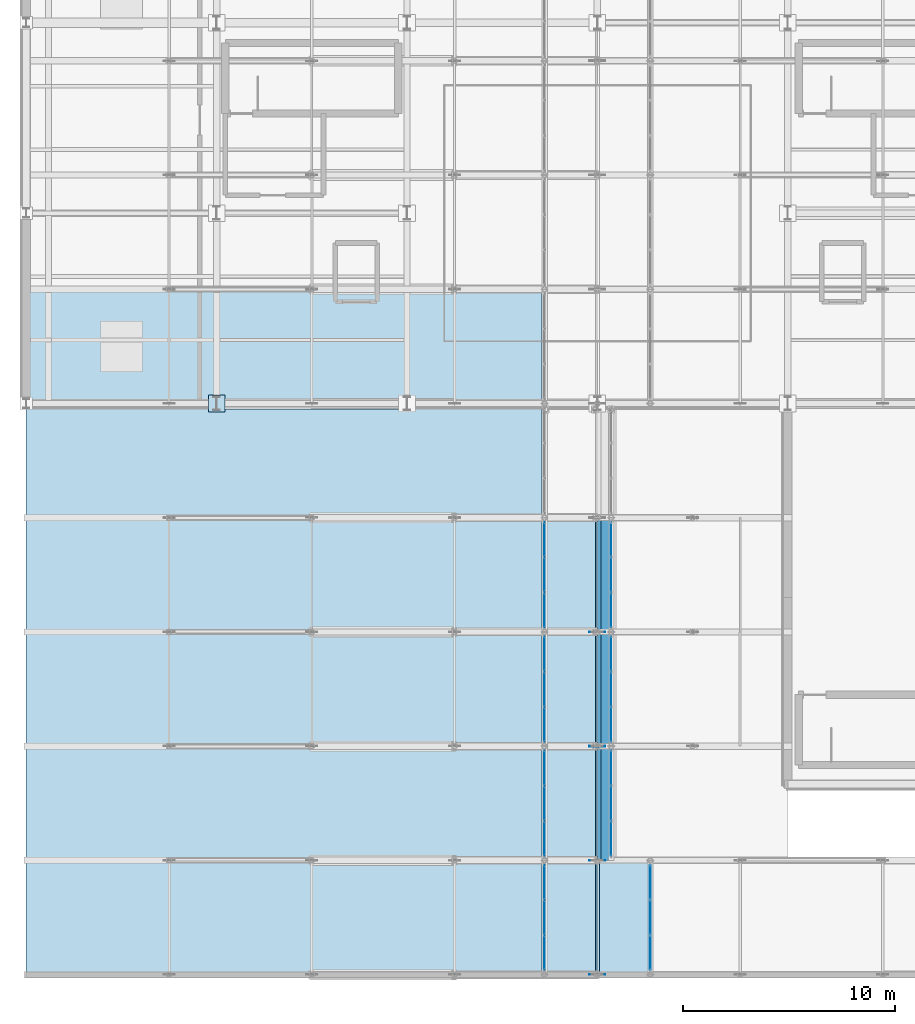
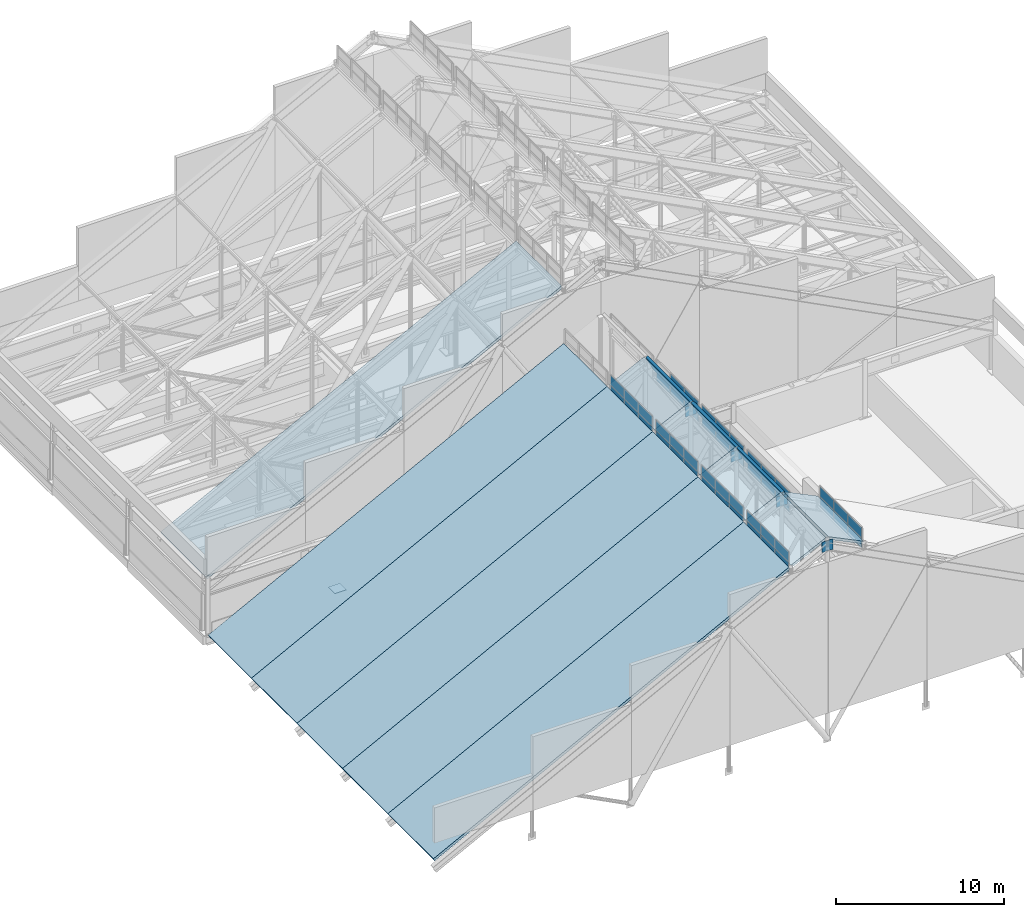
# One storey, part 68 of 84: 52 plates, 14 slabs, 8 elements without a shape of their own.
"""IFC4 building model written with IfcOpenShell, lengths in metres."""

from ifc_helpers import new_model, si_unit, direction, frame, origin, origin_2d, place, context, subcontext, project, spatial, polyline, rectangle, outline, extrude, material, layer, layer_set, type_object, element, aggregate, save


model = new_model("IFC4")

# Units and contexts
model_context = context("Model", 3, precision=1e-05, world=origin(), true_north=direction((0.0, 1.0)))
body_context = subcontext(model_context, "Body", "Model", "MODEL_VIEW")
ifc_project = project(units=[si_unit("LENGTHUNIT", "METRE"), si_unit("AREAUNIT", "SQUARE_METRE"), si_unit("VOLUMEUNIT", "CUBIC_METRE"), si_unit("PLANEANGLEUNIT", "RADIAN"), si_unit("MASSUNIT", "GRAM", prefix="KILO")], contexts=[model_context])

# Site, building, storey
site_placement = place(None, origin())
site = spatial("IfcSite", under=ifc_project, at=site_placement, CompositionType="ELEMENT")
building_placement = place(site_placement, origin())
building = spatial("IfcBuilding", under=site, at=building_placement, Name="Sundgate Opera House", CompositionType="ELEMENT")
storey_placement = place(building_placement, frame((0.0, 0.0, 30.60009765625)))
storey = spatial("IfcBuildingStorey", under=building, at=storey_placement, Name="L06", CompositionType="ELEMENT", Elevation=30.60009765625)

# Curtain wall, plates
ifc_material_1 = material(Name="Anodized aluminium and low-iron glass", Category="aluminium")
ifc_layer_1 = layer(ifc_material_1, 0.169921875)
ifc_layer_set_1 = layer_set([ifc_layer_1], Name="Anodized aluminium and low-iron glass")
curtain_wall_type = type_object("IfcCurtainWallType", Name="CW-LANTERN-POLY", PredefinedType="NOTDEFINED", material=ifc_layer_set_1)
curtain_wall_1_placement = place(storey_placement, origin())
curtain_wall_1 = element("IfcCurtainWall", 1, at=curtain_wall_1_placement, inside=storey, type_object=curtain_wall_type, Name="L06 Curtain Wall CW169", PredefinedType="NOTDEFINED")
ifc_material_2 = material(Name="Polychrome stained-glass skylight glazing", Category="glass")
ifc_layer_2 = layer(ifc_material_2, 0.028076171875)
ifc_layer_set_2 = layer_set([ifc_layer_2], Name="Polychrome stained-glass skylight glazing")
plate_type_1 = type_object("IfcPlateType", Name="CWP-POLY-28", PredefinedType="CURTAIN_PANEL", material=ifc_layer_set_2)
plate_1_placement = place(storey_placement, frame((51.5, 37.36669921875, 12.02001953125), z_axis=(0.0, 0.0, 1.0), x_axis=(0.0, -1.0, 0.0)))
plate_1 = element("IfcPlate", 2, at=plate_1_placement, type_object=plate_type_1, Name="CW169 Panel 1", PredefinedType="CURTAIN_PANEL", context=body_context, shape_type="SweptSolid", body=[
    extrude(rectangle(XDim=1.626708984375, YDim=0.028076171875, at=origin_2d()), origin(), (0.0, 0.0, 1.0), 0.7099609375),
])
plate_2_placement = place(storey_placement, frame((51.5, 37.36669921875, 12.77001953125), z_axis=(0.0, 0.0, 1.0), x_axis=(0.0, -1.0, 0.0)))
plate_2 = element("IfcPlate", 3, at=plate_2_placement, type_object=plate_type_1, Name="CW169 Panel 2", PredefinedType="CURTAIN_PANEL", context=body_context, shape_type="SweptSolid", body=[
    extrude(rectangle(XDim=1.626708984375, YDim=0.028076171875, at=origin_2d()), origin(), (0.0, 0.0, 1.0), 0.7099609375),
])
plate_3_placement = place(storey_placement, frame((51.5, 35.699951171875, 12.02001953125), z_axis=(0.0, 0.0, 1.0), x_axis=(0.0, -1.0, 0.0)))
plate_3 = element("IfcPlate", 4, at=plate_3_placement, type_object=plate_type_1, Name="CW169 Panel 3", PredefinedType="CURTAIN_PANEL", context=body_context, shape_type="SweptSolid", body=[
    extrude(rectangle(XDim=1.626708984375, YDim=0.028076171875, at=origin_2d()), origin(), (0.0, 0.0, 1.0), 0.7099609375),
])
plate_4_placement = place(storey_placement, frame((51.5, 35.699951171875, 12.77001953125), z_axis=(0.0, 0.0, 1.0), x_axis=(0.0, -1.0, 0.0)))
plate_4 = element("IfcPlate", 5, at=plate_4_placement, type_object=plate_type_1, Name="CW169 Panel 4", PredefinedType="CURTAIN_PANEL", context=body_context, shape_type="SweptSolid", body=[
    extrude(rectangle(XDim=1.626708984375, YDim=0.028076171875, at=origin_2d()), origin(), (0.0, 0.0, 1.0), 0.7099609375),
])
plate_5_placement = place(storey_placement, frame((51.5, 34.033447265625, 12.02001953125), z_axis=(0.0, 0.0, 1.0), x_axis=(0.0, -1.0, 0.0)))
plate_5 = element("IfcPlate", 6, at=plate_5_placement, type_object=plate_type_1, Name="CW169 Panel 5", PredefinedType="CURTAIN_PANEL", context=body_context, shape_type="SweptSolid", body=[
    extrude(rectangle(XDim=1.626708984375, YDim=0.028076171875, at=origin_2d()), origin(), (0.0, 0.0, 1.0), 0.7099609375),
])
plate_6_placement = place(storey_placement, frame((51.5, 34.033447265625, 12.77001953125), z_axis=(0.0, 0.0, 1.0), x_axis=(0.0, -1.0, 0.0)))
plate_6 = element("IfcPlate", 7, at=plate_6_placement, type_object=plate_type_1, Name="CW169 Panel 6", PredefinedType="CURTAIN_PANEL", context=body_context, shape_type="SweptSolid", body=[
    extrude(rectangle(XDim=1.626708984375, YDim=0.028076171875, at=origin_2d()), origin(), (0.0, 0.0, 1.0), 0.7099609375),
])
aggregate(curtain_wall_1, [plate_1, plate_2, plate_3, plate_4, plate_5, plate_6])

curtain_wall_2_placement = place(storey_placement, origin())
curtain_wall_2 = element("IfcCurtainWall", 8, at=curtain_wall_2_placement, inside=storey, type_object=curtain_wall_type, Name="L06 Curtain Wall CW170", PredefinedType="NOTDEFINED")
plate_7_placement = place(storey_placement, frame((56.5, 34.033447265625, 12.02001953125), z_axis=(0.0, 0.0, 1.0), x_axis=(0.0, 1.0, 0.0)))
plate_7 = element("IfcPlate", 9, at=plate_7_placement, type_object=plate_type_1, Name="CW170 Panel 1", PredefinedType="CURTAIN_PANEL", context=body_context, shape_type="SweptSolid", body=[
    extrude(rectangle(XDim=1.626708984375, YDim=0.028076171875, at=origin_2d()), origin(), (0.0, 0.0, 1.0), 0.7099609375),
])
plate_8_placement = place(storey_placement, frame((56.5, 34.033447265625, 12.77001953125), z_axis=(0.0, 0.0, 1.0), x_axis=(0.0, 1.0, 0.0)))
plate_8 = element("IfcPlate", 10, at=plate_8_placement, type_object=plate_type_1, Name="CW170 Panel 2", PredefinedType="CURTAIN_PANEL", context=body_context, shape_type="SweptSolid", body=[
    extrude(rectangle(XDim=1.626708984375, YDim=0.028076171875, at=origin_2d()), origin(), (0.0, 0.0, 1.0), 0.7099609375),
])
plate_9_placement = place(storey_placement, frame((56.5, 35.699951171875, 12.02001953125), z_axis=(0.0, 0.0, 1.0), x_axis=(0.0, 1.0, 0.0)))
plate_9 = element("IfcPlate", 11, at=plate_9_placement, type_object=plate_type_1, Name="CW170 Panel 3", PredefinedType="CURTAIN_PANEL", context=body_context, shape_type="SweptSolid", body=[
    extrude(rectangle(XDim=1.626708984375, YDim=0.028076171875, at=origin_2d()), origin(), (0.0, 0.0, 1.0), 0.7099609375),
])
plate_10_placement = place(storey_placement, frame((56.5, 35.699951171875, 12.77001953125), z_axis=(0.0, 0.0, 1.0), x_axis=(0.0, 1.0, 0.0)))
plate_10 = element("IfcPlate", 12, at=plate_10_placement, type_object=plate_type_1, Name="CW170 Panel 4", PredefinedType="CURTAIN_PANEL", context=body_context, shape_type="SweptSolid", body=[
    extrude(rectangle(XDim=1.626708984375, YDim=0.028076171875, at=origin_2d()), origin(), (0.0, 0.0, 1.0), 0.7099609375),
])
plate_11_placement = place(storey_placement, frame((56.5, 37.36669921875, 12.02001953125), z_axis=(0.0, 0.0, 1.0), x_axis=(0.0, 1.0, 0.0)))
plate_11 = element("IfcPlate", 13, at=plate_11_placement, type_object=plate_type_1, Name="CW170 Panel 5", PredefinedType="CURTAIN_PANEL", context=body_context, shape_type="SweptSolid", body=[
    extrude(rectangle(XDim=1.626708984375, YDim=0.028076171875, at=origin_2d()), origin(), (0.0, 0.0, 1.0), 0.7099609375),
])
plate_12_placement = place(storey_placement, frame((56.5, 37.36669921875, 12.77001953125), z_axis=(0.0, 0.0, 1.0), x_axis=(0.0, 1.0, 0.0)))
plate_12 = element("IfcPlate", 14, at=plate_12_placement, type_object=plate_type_1, Name="CW170 Panel 6", PredefinedType="CURTAIN_PANEL", context=body_context, shape_type="SweptSolid", body=[
    extrude(rectangle(XDim=1.626708984375, YDim=0.028076171875, at=origin_2d()), origin(), (0.0, 0.0, 1.0), 0.7099609375),
])
aggregate(curtain_wall_2, [plate_7, plate_8, plate_9, plate_10, plate_11, plate_12])

curtain_wall_3_placement = place(storey_placement, origin())
curtain_wall_3 = element("IfcCurtainWall", 15, at=curtain_wall_3_placement, inside=storey, type_object=curtain_wall_type, Name="L06 Curtain Wall CW171", PredefinedType="NOTDEFINED")
plate_13_placement = place(storey_placement, frame((51.5, 42.7666015625, 12.02001953125), z_axis=(0.0, 0.0, 1.0), x_axis=(0.0, -1.0, 0.0)))
plate_13 = element("IfcPlate", 16, at=plate_13_placement, type_object=plate_type_1, Name="CW171 Panel 1", PredefinedType="CURTAIN_PANEL", context=body_context, shape_type="SweptSolid", body=[
    extrude(rectangle(XDim=1.626708984375, YDim=0.028076171875, at=origin_2d()), origin(), (0.0, 0.0, 1.0), 0.7099609375),
])
plate_14_placement = place(storey_placement, frame((51.5, 42.7666015625, 12.77001953125), z_axis=(0.0, 0.0, 1.0), x_axis=(0.0, -1.0, 0.0)))
plate_14 = element("IfcPlate", 17, at=plate_14_placement, type_object=plate_type_1, Name="CW171 Panel 2", PredefinedType="CURTAIN_PANEL", context=body_context, shape_type="SweptSolid", body=[
    extrude(rectangle(XDim=1.626708984375, YDim=0.028076171875, at=origin_2d()), origin(), (0.0, 0.0, 1.0), 0.7099609375),
])
plate_15_placement = place(storey_placement, frame((51.5, 41.10009765625, 12.02001953125), z_axis=(0.0, 0.0, 1.0), x_axis=(0.0, -1.0, 0.0)))
plate_15 = element("IfcPlate", 18, at=plate_15_placement, type_object=plate_type_1, Name="CW171 Panel 3", PredefinedType="CURTAIN_PANEL", context=body_context, shape_type="SweptSolid", body=[
    extrude(rectangle(XDim=1.626708984375, YDim=0.028076171875, at=origin_2d()), origin(), (0.0, 0.0, 1.0), 0.7099609375),
])
plate_16_placement = place(storey_placement, frame((51.5, 41.10009765625, 12.77001953125), z_axis=(0.0, 0.0, 1.0), x_axis=(0.0, -1.0, 0.0)))
plate_16 = element("IfcPlate", 19, at=plate_16_placement, type_object=plate_type_1, Name="CW171 Panel 4", PredefinedType="CURTAIN_PANEL", context=body_context, shape_type="SweptSolid", body=[
    extrude(rectangle(XDim=1.626708984375, YDim=0.028076171875, at=origin_2d()), origin(), (0.0, 0.0, 1.0), 0.7099609375),
])
plate_17_placement = place(storey_placement, frame((51.5, 39.433349609375, 12.02001953125), z_axis=(0.0, 0.0, 1.0), x_axis=(0.0, -1.0, 0.0)))
plate_17 = element("IfcPlate", 20, at=plate_17_placement, type_object=plate_type_1, Name="CW171 Panel 5", PredefinedType="CURTAIN_PANEL", context=body_context, shape_type="SweptSolid", body=[
    extrude(rectangle(XDim=1.626708984375, YDim=0.028076171875, at=origin_2d()), origin(), (0.0, 0.0, 1.0), 0.7099609375),
])
plate_18_placement = place(storey_placement, frame((51.5, 39.433349609375, 12.77001953125), z_axis=(0.0, 0.0, 1.0), x_axis=(0.0, -1.0, 0.0)))
plate_18 = element("IfcPlate", 21, at=plate_18_placement, type_object=plate_type_1, Name="CW171 Panel 6", PredefinedType="CURTAIN_PANEL", context=body_context, shape_type="SweptSolid", body=[
    extrude(rectangle(XDim=1.626708984375, YDim=0.028076171875, at=origin_2d()), origin(), (0.0, 0.0, 1.0), 0.7099609375),
])
aggregate(curtain_wall_3, [plate_13, plate_14, plate_15, plate_16, plate_17, plate_18])

curtain_wall_4_placement = place(storey_placement, origin())
curtain_wall_4 = element("IfcCurtainWall", 22, at=curtain_wall_4_placement, inside=storey, type_object=curtain_wall_type, Name="L06 Curtain Wall CW172", PredefinedType="NOTDEFINED")
plate_19_placement = place(storey_placement, frame((54.64990234375, 39.433349609375, 12.02001953125), z_axis=(0.0, 0.0, 1.0), x_axis=(0.0, 1.0, 0.0)))
plate_19 = element("IfcPlate", 23, at=plate_19_placement, type_object=plate_type_1, Name="CW172 Panel 1", PredefinedType="CURTAIN_PANEL", context=body_context, shape_type="SweptSolid", body=[
    extrude(rectangle(XDim=1.626708984375, YDim=0.028076171875, at=origin_2d()), origin(), (0.0, 0.0, 1.0), 0.7099609375),
])
plate_20_placement = place(storey_placement, frame((54.64990234375, 39.433349609375, 12.77001953125), z_axis=(0.0, 0.0, 1.0), x_axis=(0.0, 1.0, 0.0)))
plate_20 = element("IfcPlate", 24, at=plate_20_placement, type_object=plate_type_1, Name="CW172 Panel 2", PredefinedType="CURTAIN_PANEL", context=body_context, shape_type="SweptSolid", body=[
    extrude(rectangle(XDim=1.626708984375, YDim=0.028076171875, at=origin_2d()), origin(), (0.0, 0.0, 1.0), 0.7099609375),
])
plate_21_placement = place(storey_placement, frame((54.64990234375, 41.10009765625, 12.02001953125), z_axis=(0.0, 0.0, 1.0), x_axis=(0.0, 1.0, 0.0)))
plate_21 = element("IfcPlate", 25, at=plate_21_placement, type_object=plate_type_1, Name="CW172 Panel 3", PredefinedType="CURTAIN_PANEL", context=body_context, shape_type="SweptSolid", body=[
    extrude(rectangle(XDim=1.626708984375, YDim=0.028076171875, at=origin_2d()), origin(), (0.0, 0.0, 1.0), 0.7099609375),
])
plate_22_placement = place(storey_placement, frame((54.64990234375, 41.10009765625, 12.77001953125), z_axis=(0.0, 0.0, 1.0), x_axis=(0.0, 1.0, 0.0)))
plate_22 = element("IfcPlate", 26, at=plate_22_placement, type_object=plate_type_1, Name="CW172 Panel 4", PredefinedType="CURTAIN_PANEL", context=body_context, shape_type="SweptSolid", body=[
    extrude(rectangle(XDim=1.626708984375, YDim=0.028076171875, at=origin_2d()), origin(), (0.0, 0.0, 1.0), 0.7099609375),
])
plate_23_placement = place(storey_placement, frame((54.64990234375, 42.7666015625, 12.02001953125), z_axis=(0.0, 0.0, 1.0), x_axis=(0.0, 1.0, 0.0)))
plate_23 = element("IfcPlate", 27, at=plate_23_placement, type_object=plate_type_1, Name="CW172 Panel 5", PredefinedType="CURTAIN_PANEL", context=body_context, shape_type="SweptSolid", body=[
    extrude(rectangle(XDim=1.626708984375, YDim=0.028076171875, at=origin_2d()), origin(), (0.0, 0.0, 1.0), 0.7099609375),
])
plate_24_placement = place(storey_placement, frame((54.64990234375, 42.7666015625, 12.77001953125), z_axis=(0.0, 0.0, 1.0), x_axis=(0.0, 1.0, 0.0)))
plate_24 = element("IfcPlate", 28, at=plate_24_placement, type_object=plate_type_1, Name="CW172 Panel 6", PredefinedType="CURTAIN_PANEL", context=body_context, shape_type="SweptSolid", body=[
    extrude(rectangle(XDim=1.626708984375, YDim=0.028076171875, at=origin_2d()), origin(), (0.0, 0.0, 1.0), 0.7099609375),
])
aggregate(curtain_wall_4, [plate_19, plate_20, plate_21, plate_22, plate_23, plate_24])

curtain_wall_5_placement = place(storey_placement, origin())
curtain_wall_5 = element("IfcCurtainWall", 29, at=curtain_wall_5_placement, inside=storey, type_object=curtain_wall_type, Name="L06 Curtain Wall CW173", PredefinedType="NOTDEFINED")
plate_25_placement = place(storey_placement, frame((51.5, 48.166748046875, 12.02001953125), z_axis=(0.0, 0.0, 1.0), x_axis=(0.0, -1.0, 0.0)))
plate_25 = element("IfcPlate", 30, at=plate_25_placement, type_object=plate_type_1, Name="CW173 Panel 1", PredefinedType="CURTAIN_PANEL", context=body_context, shape_type="SweptSolid", body=[
    extrude(rectangle(XDim=1.626708984375, YDim=0.028076171875, at=origin_2d()), origin(), (0.0, 0.0, 1.0), 0.7099609375),
])
plate_26_placement = place(storey_placement, frame((51.5, 48.166748046875, 12.77001953125), z_axis=(0.0, 0.0, 1.0), x_axis=(0.0, -1.0, 0.0)))
plate_26 = element("IfcPlate", 31, at=plate_26_placement, type_object=plate_type_1, Name="CW173 Panel 2", PredefinedType="CURTAIN_PANEL", context=body_context, shape_type="SweptSolid", body=[
    extrude(rectangle(XDim=1.626708984375, YDim=0.028076171875, at=origin_2d()), origin(), (0.0, 0.0, 1.0), 0.7099609375),
])
plate_27_placement = place(storey_placement, frame((51.5, 46.5, 12.02001953125), z_axis=(0.0, 0.0, 1.0), x_axis=(0.0, -1.0, 0.0)))
plate_27 = element("IfcPlate", 32, at=plate_27_placement, type_object=plate_type_1, Name="CW173 Panel 3", PredefinedType="CURTAIN_PANEL", context=body_context, shape_type="SweptSolid", body=[
    extrude(rectangle(XDim=1.626708984375, YDim=0.028076171875, at=origin_2d()), origin(), (0.0, 0.0, 1.0), 0.7099609375),
])
plate_28_placement = place(storey_placement, frame((51.5, 46.5, 12.77001953125), z_axis=(0.0, 0.0, 1.0), x_axis=(0.0, -1.0, 0.0)))
plate_28 = element("IfcPlate", 33, at=plate_28_placement, type_object=plate_type_1, Name="CW173 Panel 4", PredefinedType="CURTAIN_PANEL", context=body_context, shape_type="SweptSolid", body=[
    extrude(rectangle(XDim=1.626708984375, YDim=0.028076171875, at=origin_2d()), origin(), (0.0, 0.0, 1.0), 0.7099609375),
])
plate_29_placement = place(storey_placement, frame((51.5, 44.833251953125, 12.02001953125), z_axis=(0.0, 0.0, 1.0), x_axis=(0.0, -1.0, 0.0)))
plate_29 = element("IfcPlate", 34, at=plate_29_placement, type_object=plate_type_1, Name="CW173 Panel 5", PredefinedType="CURTAIN_PANEL", context=body_context, shape_type="SweptSolid", body=[
    extrude(rectangle(XDim=1.626708984375, YDim=0.028076171875, at=origin_2d()), origin(), (0.0, 0.0, 1.0), 0.7099609375),
])
plate_30_placement = place(storey_placement, frame((51.5, 44.833251953125, 12.77001953125), z_axis=(0.0, 0.0, 1.0), x_axis=(0.0, -1.0, 0.0)))
plate_30 = element("IfcPlate", 35, at=plate_30_placement, type_object=plate_type_1, Name="CW173 Panel 6", PredefinedType="CURTAIN_PANEL", context=body_context, shape_type="SweptSolid", body=[
    extrude(rectangle(XDim=1.626708984375, YDim=0.028076171875, at=origin_2d()), origin(), (0.0, 0.0, 1.0), 0.7099609375),
])
aggregate(curtain_wall_5, [plate_25, plate_26, plate_27, plate_28, plate_29, plate_30])

curtain_wall_6_placement = place(storey_placement, origin())
curtain_wall_6 = element("IfcCurtainWall", 36, at=curtain_wall_6_placement, inside=storey, type_object=curtain_wall_type, Name="L06 Curtain Wall CW174", PredefinedType="NOTDEFINED")
plate_31_placement = place(storey_placement, frame((54.64990234375, 44.833251953125, 12.02001953125), z_axis=(0.0, 0.0, 1.0), x_axis=(0.0, 1.0, 0.0)))
plate_31 = element("IfcPlate", 37, at=plate_31_placement, type_object=plate_type_1, Name="CW174 Panel 1", PredefinedType="CURTAIN_PANEL", context=body_context, shape_type="SweptSolid", body=[
    extrude(rectangle(XDim=1.626708984375, YDim=0.028076171875, at=origin_2d()), origin(), (0.0, 0.0, 1.0), 0.7099609375),
])
plate_32_placement = place(storey_placement, frame((54.64990234375, 44.833251953125, 12.77001953125), z_axis=(0.0, 0.0, 1.0), x_axis=(0.0, 1.0, 0.0)))
plate_32 = element("IfcPlate", 38, at=plate_32_placement, type_object=plate_type_1, Name="CW174 Panel 2", PredefinedType="CURTAIN_PANEL", context=body_context, shape_type="SweptSolid", body=[
    extrude(rectangle(XDim=1.626708984375, YDim=0.028076171875, at=origin_2d()), origin(), (0.0, 0.0, 1.0), 0.7099609375),
])
plate_33_placement = place(storey_placement, frame((54.64990234375, 46.5, 12.02001953125), z_axis=(0.0, 0.0, 1.0), x_axis=(0.0, 1.0, 0.0)))
plate_33 = element("IfcPlate", 39, at=plate_33_placement, type_object=plate_type_1, Name="CW174 Panel 3", PredefinedType="CURTAIN_PANEL", context=body_context, shape_type="SweptSolid", body=[
    extrude(rectangle(XDim=1.626708984375, YDim=0.028076171875, at=origin_2d()), origin(), (0.0, 0.0, 1.0), 0.7099609375),
])
plate_34_placement = place(storey_placement, frame((54.64990234375, 46.5, 12.77001953125), z_axis=(0.0, 0.0, 1.0), x_axis=(0.0, 1.0, 0.0)))
plate_34 = element("IfcPlate", 40, at=plate_34_placement, type_object=plate_type_1, Name="CW174 Panel 4", PredefinedType="CURTAIN_PANEL", context=body_context, shape_type="SweptSolid", body=[
    extrude(rectangle(XDim=1.626708984375, YDim=0.028076171875, at=origin_2d()), origin(), (0.0, 0.0, 1.0), 0.7099609375),
])
plate_35_placement = place(storey_placement, frame((54.64990234375, 48.166748046875, 12.02001953125), z_axis=(0.0, 0.0, 1.0), x_axis=(0.0, 1.0, 0.0)))
plate_35 = element("IfcPlate", 41, at=plate_35_placement, type_object=plate_type_1, Name="CW174 Panel 5", PredefinedType="CURTAIN_PANEL", context=body_context, shape_type="SweptSolid", body=[
    extrude(rectangle(XDim=1.626708984375, YDim=0.028076171875, at=origin_2d()), origin(), (0.0, 0.0, 1.0), 0.7099609375),
])
plate_36_placement = place(storey_placement, frame((54.64990234375, 48.166748046875, 12.77001953125), z_axis=(0.0, 0.0, 1.0), x_axis=(0.0, 1.0, 0.0)))
plate_36 = element("IfcPlate", 42, at=plate_36_placement, type_object=plate_type_1, Name="CW174 Panel 6", PredefinedType="CURTAIN_PANEL", context=body_context, shape_type="SweptSolid", body=[
    extrude(rectangle(XDim=1.626708984375, YDim=0.028076171875, at=origin_2d()), origin(), (0.0, 0.0, 1.0), 0.7099609375),
])
aggregate(curtain_wall_6, [plate_31, plate_32, plate_33, plate_34, plate_35, plate_36])

curtain_wall_7_placement = place(storey_placement, origin())
curtain_wall_7 = element("IfcCurtainWall", 43, at=curtain_wall_7_placement, inside=storey, type_object=curtain_wall_type, Name="L06 Curtain Wall CW175", PredefinedType="NOTDEFINED")
plate_37_placement = place(storey_placement, frame((51.5, 53.566650390625, 12.02001953125), z_axis=(0.0, 0.0, 1.0), x_axis=(0.0, -1.0, 0.0)))
plate_37 = element("IfcPlate", 44, at=plate_37_placement, type_object=plate_type_1, Name="CW175 Panel 1", PredefinedType="CURTAIN_PANEL", context=body_context, shape_type="SweptSolid", body=[
    extrude(rectangle(XDim=1.626708984375, YDim=0.028076171875, at=origin_2d()), origin(), (0.0, 0.0, 1.0), 0.7099609375),
])
plate_38_placement = place(storey_placement, frame((51.5, 53.566650390625, 12.77001953125), z_axis=(0.0, 0.0, 1.0), x_axis=(0.0, -1.0, 0.0)))
plate_38 = element("IfcPlate", 45, at=plate_38_placement, type_object=plate_type_1, Name="CW175 Panel 2", PredefinedType="CURTAIN_PANEL", context=body_context, shape_type="SweptSolid", body=[
    extrude(rectangle(XDim=1.626708984375, YDim=0.028076171875, at=origin_2d()), origin(), (0.0, 0.0, 1.0), 0.7099609375),
])
plate_39_placement = place(storey_placement, frame((51.5, 51.89990234375, 12.02001953125), z_axis=(0.0, 0.0, 1.0), x_axis=(0.0, -1.0, 0.0)))
plate_39 = element("IfcPlate", 46, at=plate_39_placement, type_object=plate_type_1, Name="CW175 Panel 3", PredefinedType="CURTAIN_PANEL", context=body_context, shape_type="SweptSolid", body=[
    extrude(rectangle(XDim=1.626708984375, YDim=0.028076171875, at=origin_2d()), origin(), (0.0, 0.0, 1.0), 0.7099609375),
])
plate_40_placement = place(storey_placement, frame((51.5, 51.89990234375, 12.77001953125), z_axis=(0.0, 0.0, 1.0), x_axis=(0.0, -1.0, 0.0)))
plate_40 = element("IfcPlate", 47, at=plate_40_placement, type_object=plate_type_1, Name="CW175 Panel 4", PredefinedType="CURTAIN_PANEL", context=body_context, shape_type="SweptSolid", body=[
    extrude(rectangle(XDim=1.626708984375, YDim=0.028076171875, at=origin_2d()), origin(), (0.0, 0.0, 1.0), 0.7099609375),
])
plate_41_placement = place(storey_placement, frame((51.5, 50.2333984375, 12.02001953125), z_axis=(0.0, 0.0, 1.0), x_axis=(0.0, -1.0, 0.0)))
plate_41 = element("IfcPlate", 48, at=plate_41_placement, type_object=plate_type_1, Name="CW175 Panel 5", PredefinedType="CURTAIN_PANEL", context=body_context, shape_type="SweptSolid", body=[
    extrude(rectangle(XDim=1.626708984375, YDim=0.028076171875, at=origin_2d()), origin(), (0.0, 0.0, 1.0), 0.7099609375),
])
plate_42_placement = place(storey_placement, frame((51.5, 50.2333984375, 12.77001953125), z_axis=(0.0, 0.0, 1.0), x_axis=(0.0, -1.0, 0.0)))
plate_42 = element("IfcPlate", 49, at=plate_42_placement, type_object=plate_type_1, Name="CW175 Panel 6", PredefinedType="CURTAIN_PANEL", context=body_context, shape_type="SweptSolid", body=[
    extrude(rectangle(XDim=1.626708984375, YDim=0.028076171875, at=origin_2d()), origin(), (0.0, 0.0, 1.0), 0.7099609375),
])
aggregate(curtain_wall_7, [plate_37, plate_38, plate_39, plate_40, plate_41, plate_42])

curtain_wall_8_placement = place(storey_placement, origin())
curtain_wall_8 = element("IfcCurtainWall", 50, at=curtain_wall_8_placement, inside=storey, type_object=curtain_wall_type, Name="L06 Curtain Wall CW176", PredefinedType="NOTDEFINED")
plate_43_placement = place(storey_placement, frame((54.64990234375, 50.2333984375, 12.02001953125), z_axis=(0.0, 0.0, 1.0), x_axis=(0.0, 1.0, 0.0)))
plate_43 = element("IfcPlate", 51, at=plate_43_placement, type_object=plate_type_1, Name="CW176 Panel 1", PredefinedType="CURTAIN_PANEL", context=body_context, shape_type="SweptSolid", body=[
    extrude(rectangle(XDim=1.626708984375, YDim=0.028076171875, at=origin_2d()), origin(), (0.0, 0.0, 1.0), 0.7099609375),
])
plate_44_placement = place(storey_placement, frame((54.64990234375, 50.2333984375, 12.77001953125), z_axis=(0.0, 0.0, 1.0), x_axis=(0.0, 1.0, 0.0)))
plate_44 = element("IfcPlate", 52, at=plate_44_placement, type_object=plate_type_1, Name="CW176 Panel 2", PredefinedType="CURTAIN_PANEL", context=body_context, shape_type="SweptSolid", body=[
    extrude(rectangle(XDim=1.626708984375, YDim=0.028076171875, at=origin_2d()), origin(), (0.0, 0.0, 1.0), 0.7099609375),
])
plate_45_placement = place(storey_placement, frame((54.64990234375, 51.89990234375, 12.02001953125), z_axis=(0.0, 0.0, 1.0), x_axis=(0.0, 1.0, 0.0)))
plate_45 = element("IfcPlate", 53, at=plate_45_placement, type_object=plate_type_1, Name="CW176 Panel 3", PredefinedType="CURTAIN_PANEL", context=body_context, shape_type="SweptSolid", body=[
    extrude(rectangle(XDim=1.626708984375, YDim=0.028076171875, at=origin_2d()), origin(), (0.0, 0.0, 1.0), 0.7099609375),
])
plate_46_placement = place(storey_placement, frame((54.64990234375, 51.89990234375, 12.77001953125), z_axis=(0.0, 0.0, 1.0), x_axis=(0.0, 1.0, 0.0)))
plate_46 = element("IfcPlate", 54, at=plate_46_placement, type_object=plate_type_1, Name="CW176 Panel 4", PredefinedType="CURTAIN_PANEL", context=body_context, shape_type="SweptSolid", body=[
    extrude(rectangle(XDim=1.626708984375, YDim=0.028076171875, at=origin_2d()), origin(), (0.0, 0.0, 1.0), 0.7099609375),
])
plate_47_placement = place(storey_placement, frame((54.64990234375, 53.566650390625, 12.02001953125), z_axis=(0.0, 0.0, 1.0), x_axis=(0.0, 1.0, 0.0)))
plate_47 = element("IfcPlate", 55, at=plate_47_placement, type_object=plate_type_1, Name="CW176 Panel 5", PredefinedType="CURTAIN_PANEL", context=body_context, shape_type="SweptSolid", body=[
    extrude(rectangle(XDim=1.626708984375, YDim=0.028076171875, at=origin_2d()), origin(), (0.0, 0.0, 1.0), 0.7099609375),
])
aggregate(curtain_wall_8, [plate_43, plate_44, plate_45, plate_46, plate_47])

# Plates
ifc_material_3 = material(Name="Steel S355J2", Category="steel")
ifc_layer_3 = layer(ifc_material_3, 0.035888671875)
ifc_layer_set_3 = layer_set([ifc_layer_3], Name="Steel S355J2")
plate_type_2 = type_object("IfcPlateType", Name="PT-BAS-36", PredefinedType="USERDEFINED", material=ifc_layer_set_3)
plate_48_placement = place(storey_placement, frame((36.0, 60.0, 0.0), z_axis=(0.0, 0.0, 1.0), x_axis=(1.0, 0.0, 0.0)))
element("IfcPlate", 56, at=plate_48_placement, inside=storey, type_object=plate_type_2, Name="L06 Base Plate PT0049", ObjectType="BASE PLATE", PredefinedType="USERDEFINED", context=body_context, shape_type="SweptSolid", body=[
    extrude(rectangle(XDim=0.7900390625, YDim=0.7900390625, at=origin_2d()), origin(), (0.0, 0.0, 1.0), 0.035888671875),
])
ifc_material_4 = material(Name="Steel S355J2", Category="steel")
ifc_layer_4 = layer(ifc_material_4, 0.031982421875)
ifc_layer_set_4 = layer_set([ifc_layer_4], Name="Steel S355J2")
plate_type_3 = type_object("IfcPlateType", Name="PT-GUS-32", PredefinedType="USERDEFINED", material=ifc_layer_set_4)
for number, where, z_axis, x_axis, name in (
    (57, (54.0, 33.0, 12.824951171875), (0.0, 0.0, 1.0), (1.0, 0.0, 0.0), "L06 Ridge Gusset Plate PT0536"),
    (58, (54.0, 38.39990234375, 12.824951171875), (0.0, 0.0, 1.0), (1.0, 0.0, 0.0), "L06 Ridge Gusset Plate PT0557"),
    (59, (54.0, 43.800048828125, 12.824951171875), (0.0, 0.0, 1.0), (1.0, 0.0, 0.0), "L06 Ridge Gusset Plate PT0574"),
    (60, (54.0, 49.199951171875, 12.824951171875), (0.0, 0.0, 1.0), (1.0, 0.0, 0.0), "L06 Ridge Gusset Plate PT0591"),
):
    element("IfcPlate", number, at=place(storey_placement, frame(where, z_axis=z_axis, x_axis=x_axis)), inside=storey, type_object=plate_type_3, Name=name, ObjectType="GUSSET PLATE", PredefinedType="USERDEFINED", context=body_context, shape_type="SweptSolid", body=[
        extrude(rectangle(XDim=0.75, YDim=0.031982421875, at=origin_2d()), origin(), (0.0, 0.0, 1.0), 0.75),
    ])

# Slabs
ifc_material_5 = material(Name="Precast concrete C40/50", Category="concrete")
ifc_layer_5 = layer(ifc_material_5, 0.175048828125)
ifc_layer_set_5 = layer_set([ifc_layer_5], Name="Precast concrete C40/50")
slab_type_1 = type_object("IfcSlabType", Name="SL-ROOF-175", PredefinedType="ROOF", material=ifc_layer_set_5)
for number, where, z_axis, x_axis, name in (
    (61, (51.52001953125, 33.0, 12.659912109375), (-0.436631996776, 0.0, 0.899640205522), (0.899640205522, 0.0, 0.436631996776), "V1 Skylight Ridge Cap Slab SR003"),
    (62, (54.090087890625, 33.0, 13.81982421875), (0.436631996776, 0.0, 0.899640205522), (0.899640205522, 0.0, -0.436631996776), "V1 Skylight Ridge Cap Slab SR004"),
):
    element("IfcSlab", number, at=place(storey_placement, frame(where, z_axis=z_axis, x_axis=x_axis)), inside=storey, type_object=slab_type_1, Name=name, PredefinedType="ROOF", context=body_context, shape_type="SweptSolid", body=[
        extrude(outline(polyline([(0.0, 0.0), (2.656498190560596, 0.0), (2.656498190560596, 5.399902343750001), (0.0, 5.399902343750001), (0.0, 0.0)])), origin(), (0.0, 0.0, -1.0), 0.175048828125),
    ])
slab_1_placement = place(storey_placement, frame((51.52001953125, 38.39990234375, 12.659912109375), z_axis=(-0.436631996776, 0.0, 0.899640205522), x_axis=(0.899640205522, 0.0, 0.436631996776)))
element("IfcSlab", 63, at=slab_1_placement, inside=storey, type_object=slab_type_1, Name="V1 Skylight Ridge Cap Slab SR007", PredefinedType="ROOF", context=body_context, shape_type="SweptSolid", body=[
    extrude(outline(polyline([(0.0, 0.0), (2.656498190560596, 0.0), (2.656498190560596, 5.400146484375001), (0.0, 5.400146484375001), (0.0, 0.0)])), origin(), (0.0, 0.0, -1.0), 0.175048828125),
])
slab_2_placement = place(storey_placement, frame((54.169921875, 38.39990234375, 13.81982421875), z_axis=(0.896162177798, 0.0, 0.443726662579), x_axis=(0.443726662579, 0.0, -0.896162177798)))
element("IfcSlab", 64, at=slab_2_placement, inside=storey, type_object=slab_type_1, Name="V1 Skylight Ridge Cap Slab SR008", PredefinedType="ROOF", context=body_context, shape_type="SweptSolid", body=[
    extrude(outline(polyline([(0.0, 0.0), (1.1493782290672092, 0.0), (1.1493782290672092, 5.400146484375), (0.0, 5.400146484375), (0.0, 0.0)])), origin(), (0.0, 0.0, -1.0), 0.175048828125),
])
slab_3_placement = place(storey_placement, frame((51.52001953125, 43.800048828125, 12.659912109375), z_axis=(-0.436631996776, 0.0, 0.899640205522), x_axis=(0.899640205522, 0.0, 0.436631996776)))
element("IfcSlab", 65, at=slab_3_placement, inside=storey, type_object=slab_type_1, Name="V1 Skylight Ridge Cap Slab SR011", PredefinedType="ROOF", context=body_context, shape_type="SweptSolid", body=[
    extrude(outline(polyline([(0.0, 0.0), (2.656498190560596, 0.0), (2.656498190560596, 5.399902343750001), (0.0, 5.399902343750001), (0.0, 0.0)])), origin(), (0.0, 0.0, -1.0), 0.175048828125),
])
slab_4_placement = place(storey_placement, frame((54.169921875, 43.800048828125, 13.81982421875), z_axis=(0.896162177798, 0.0, 0.443726662579), x_axis=(0.443726662579, 0.0, -0.896162177798)))
element("IfcSlab", 66, at=slab_4_placement, inside=storey, type_object=slab_type_1, Name="V1 Skylight Ridge Cap Slab SR012", PredefinedType="ROOF", context=body_context, shape_type="SweptSolid", body=[
    extrude(outline(polyline([(0.0, 0.0), (1.1493782290672092, 0.0), (1.1493782290672092, 5.39990234375), (0.0, 5.39990234375), (0.0, 0.0)])), origin(), (0.0, 0.0, -1.0), 0.175048828125),
])
slab_5_placement = place(storey_placement, frame((51.52001953125, 49.199951171875, 12.659912109375), z_axis=(-0.436631996776, 0.0, 0.899640205522), x_axis=(0.899640205522, 0.0, 0.436631996776)))
element("IfcSlab", 67, at=slab_5_placement, inside=storey, type_object=slab_type_1, Name="V1 Skylight Ridge Cap Slab SR015", PredefinedType="ROOF", context=body_context, shape_type="SweptSolid", body=[
    extrude(outline(polyline([(0.0, 0.0), (2.656498190560596, 0.0), (2.656498190560596, 5.400146484375001), (0.0, 5.400146484375001), (0.0, 0.0)])), origin(), (0.0, 0.0, -1.0), 0.175048828125),
])
slab_6_placement = place(storey_placement, frame((54.169921875, 49.199951171875, 13.81982421875), z_axis=(0.896162177798, 0.0, 0.443726662579), x_axis=(0.443726662579, 0.0, -0.896162177798)))
element("IfcSlab", 68, at=slab_6_placement, inside=storey, type_object=slab_type_1, Name="V1 Skylight Ridge Cap Slab SR016", PredefinedType="ROOF", context=body_context, shape_type="SweptSolid", body=[
    extrude(outline(polyline([(0.0, 0.0), (1.1493782290672092, 0.0), (1.1493782290672092, 5.400146484375), (0.0, 5.400146484375), (0.0, 0.0)])), origin(), (0.0, 0.0, -1.0), 0.175048828125),
])
ifc_material_6 = material(Name="Precast concrete C40/50", Category="concrete")
ifc_layer_6 = layer(ifc_material_6, 0.195068359375)
ifc_layer_set_6 = layer_set([ifc_layer_6], Name="Precast concrete C40/50")
slab_type_2 = type_object("IfcSlabType", Name="SL-ROOF-195", PredefinedType="ROOF", material=ifc_layer_set_6)
slab_7_placement = place(storey_placement, frame((27.0, 33.0, -0.0400390625), z_axis=(-0.459277474052, 0.0, 0.888292858143), x_axis=(0.888292858143, 0.0, 0.459277474052)))
element("IfcSlab", 69, at=slab_7_placement, inside=storey, type_object=slab_type_2, Name="V1 Pitched Roof Slab SR001", PredefinedType="ROOF", context=body_context, shape_type="SweptSolid", body=[
    extrude(outline(polyline([(0.0, 0.0), (27.445771503166497, 0.0), (27.445771503166497, 5.39990234375), (0.0, 5.39990234375), (0.0, 0.0)])), origin(), (0.0, 0.0, -1.0), 0.195068359375),
])
slab_8_placement = place(storey_placement, frame((27.0, 38.39990234375, -0.0400390625), z_axis=(-0.459277474052, 0.0, 0.888292858143), x_axis=(0.888292858143, 0.0, 0.459277474052)))
element("IfcSlab", 70, at=slab_8_placement, inside=storey, type_object=slab_type_2, Name="V1 Pitched Roof Slab SR005", PredefinedType="ROOF", context=body_context, shape_type="SweptSolid", body=[
    extrude(outline(polyline([(0.0, 0.0), (27.445771503166497, 0.0), (27.445771503166497, 5.400146484375), (0.0, 5.400146484375), (0.0, 0.0)])), origin(), (0.0, 0.0, -1.0), 0.195068359375),
])
slab_9_placement = place(storey_placement, frame((27.0, 43.800048828125, -0.0400390625), z_axis=(-0.459277474052, 0.0, 0.888292858143), x_axis=(0.888292858143, 0.0, 0.459277474052)))
element("IfcSlab", 71, at=slab_9_placement, inside=storey, type_object=slab_type_2, Name="V1 Pitched Roof Slab SR009", PredefinedType="ROOF", context=body_context, shape_type="SweptSolid", body=[
    extrude(outline(polyline([(0.0, 0.0), (27.445771503166497, 0.0), (27.445771503166497, 5.39990234375), (0.0, 5.39990234375), (0.0, 0.0)])), origin(), (0.0, 0.0, -1.0), 0.195068359375),
])
slab_10_placement = place(storey_placement, frame((27.0, 49.199951171875, -0.0400390625), z_axis=(-0.459277474052, 0.0, 0.888292858143), x_axis=(0.888292858143, 0.0, 0.459277474052)))
element("IfcSlab", 72, at=slab_10_placement, inside=storey, type_object=slab_type_2, Name="V1 Pitched Roof Slab SR013", PredefinedType="ROOF", context=body_context, shape_type="SweptSolid", body=[
    extrude(outline(polyline([(0.0, 0.0), (27.445771503166497, 0.0), (27.445771503166497, 5.400146484375), (0.0, 5.400146484375), (0.0, 0.0)])), origin(), (0.0, 0.0, -1.0), 0.195068359375),
])
slab_11_placement = place(storey_placement, frame((27.0, 54.60009765625, -0.0400390625), z_axis=(-0.459277474052, 0.0, 0.888292858143), x_axis=(0.888292858143, 0.0, 0.459277474052)))
element("IfcSlab", 73, at=slab_11_placement, inside=storey, type_object=slab_type_2, Name="V1 Pitched Roof Slab SR017", PredefinedType="ROOF", context=body_context, shape_type="SweptSolid", body=[
    extrude(outline(polyline([(0.0, 0.0), (27.445771503166497, 0.0), (27.445771503166497, 5.14990234375), (0.0, 5.14990234375), (0.0, 0.0)])), origin(), (0.0, 0.0, -1.0), 0.195068359375),
])
slab_12_placement = place(storey_placement, frame((27.0, 60.0, 4.010009765625), z_axis=(-0.457977481706, 0.0, 0.888963793554), x_axis=(0.888963793554, 0.0, 0.457977481706)))
element("IfcSlab", 74, at=slab_12_placement, inside=storey, type_object=slab_type_2, Name="V1 Pitched Roof Slab SR021", PredefinedType="ROOF", context=body_context, shape_type="SweptSolid", body=[
    extrude(outline(polyline([(0.0, 0.0), (27.425057116251665, 0.0), (27.425057116251665, 5.39990234375), (0.0, 5.39990234375), (0.0, 0.0)])), origin(), (0.0, 0.0, -1.0), 0.195068359375),
])

save(model, "model.ifc")
